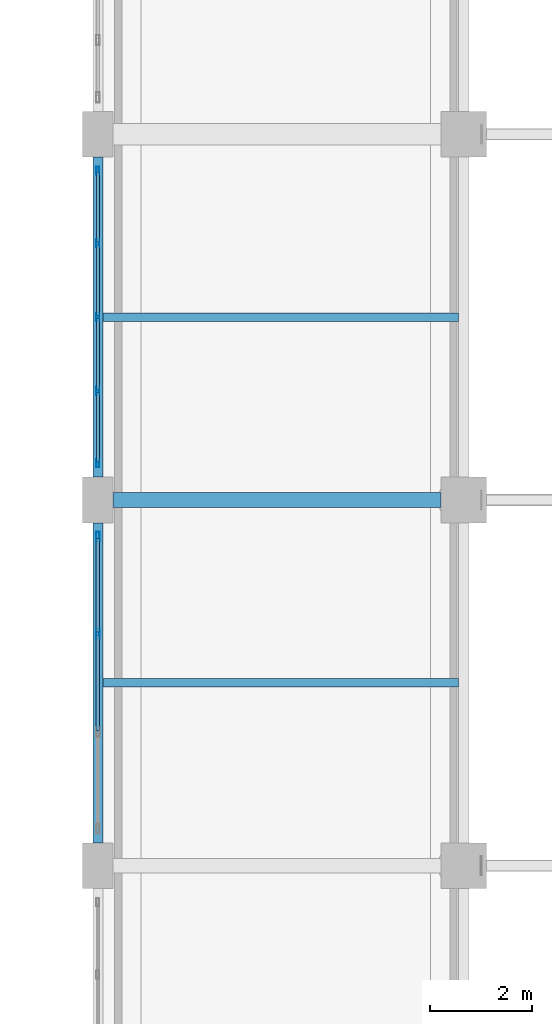
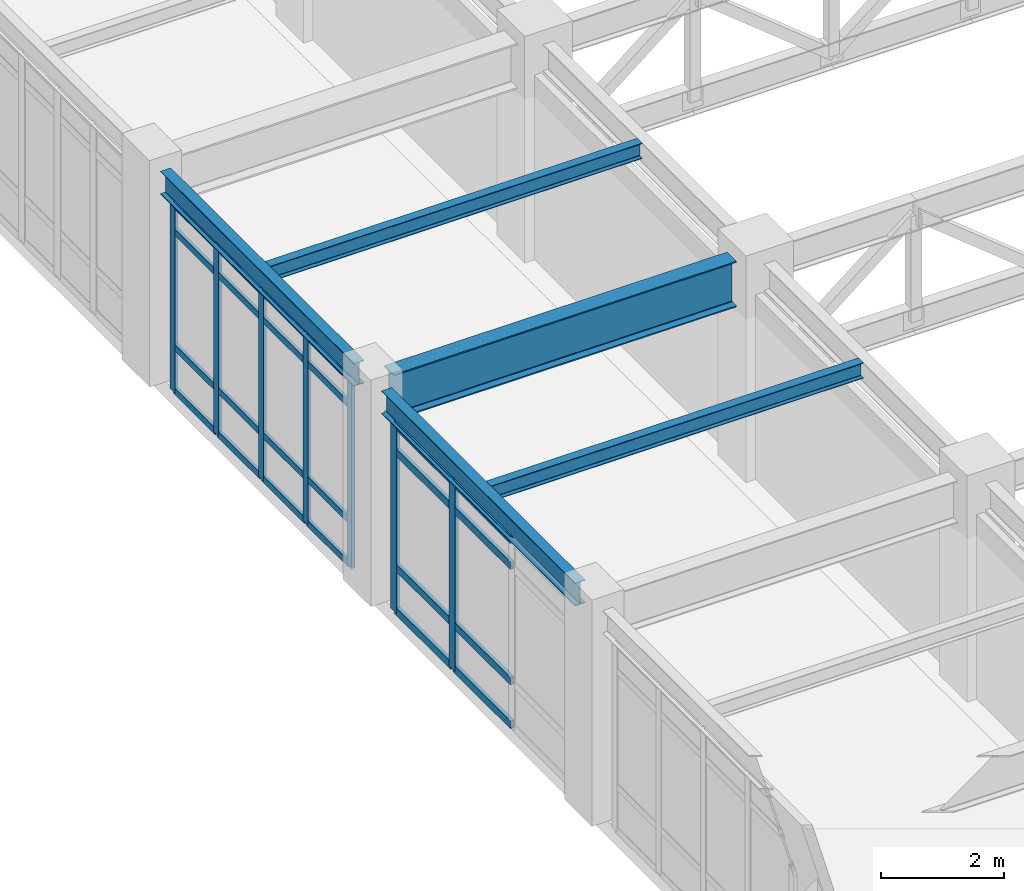
# One storey, part 20 of 106: 31 members, 5 beams, 2 elements without a shape of their own.
"""IFC4 building model written with IfcOpenShell, lengths in metres."""

from ifc_helpers import new_model, si_unit, direction, frame, origin, origin_2d, place, context, subcontext, project, spatial, hollow_rectangle, i_section, extrude, material, layer, layer_set, material_profile, profile_set, type_object, element, aggregate, save


model = new_model("IFC4")

# Units and contexts
model_context = context("Model", 3, precision=1e-05, world=origin(), true_north=direction((0.0, 1.0)))
body_context = subcontext(model_context, "Body", "Model", "MODEL_VIEW")
ifc_project = project(units=[si_unit("LENGTHUNIT", "METRE"), si_unit("AREAUNIT", "SQUARE_METRE"), si_unit("VOLUMEUNIT", "CUBIC_METRE"), si_unit("PLANEANGLEUNIT", "RADIAN"), si_unit("MASSUNIT", "GRAM", prefix="KILO")], contexts=[model_context])

# Site, building, storey
site_placement = place(None, origin())
site = spatial("IfcSite", under=ifc_project, at=site_placement, CompositionType="ELEMENT")
building_placement = place(site_placement, origin())
building = spatial("IfcBuilding", under=site, at=building_placement, Name="Carrowvane Square Congress Hotel", CompositionType="ELEMENT")
storey_placement = place(building_placement, frame((0.0, 0.0, 10.5)))
storey = spatial("IfcBuildingStorey", under=building, at=storey_placement, Name="L02", CompositionType="ELEMENT", Elevation=10.5)

# Beams
ifc_material_1 = material(Name="Steel S355", Category="steel")
ifc_material_profile_1 = material_profile(ifc_material_1, i_section(OverallWidth=0.165771484375, OverallDepth=0.306640625, WebThickness=0.006591796875, FlangeThickness=0.01171875, FilletRadius=0.0087890625, at=origin_2d()), Name="UKB 305x165x46")
ifc_profile_set_1 = profile_set([ifc_material_profile_1], Name="Steel S355")
beam_type_1 = type_object("IfcBeamType", Name="BM-ST-UKB305", PredefinedType="JOIST", material=ifc_profile_set_1)
for number, where, z_axis, x_axis, name in (
    (1, (134.095703125, 23.39990234375, 4.066650390625), (1.0, 0.0, 0.0), (0.0, 1.0, 0.0), "L03 secondary joist 18-19"),
    (2, (134.095703125, 30.60009765625, 4.066650390625), (1.0, 0.0, 0.0), (0.0, 1.0, 0.0), "L03 secondary joist 18-19"),
):
    element("IfcBeam", number, at=place(storey_placement, frame(where, z_axis=z_axis, x_axis=x_axis)), inside=storey, type_object=beam_type_1, Name=name, PredefinedType="JOIST", context=body_context, shape_type="SweptSolid", body=[
        extrude(i_section(OverallWidth=0.165771484375, OverallDepth=0.306640625, WebThickness=0.006591796875, FlangeThickness=0.01171875, FilletRadius=0.0087890625, at=origin_2d()), origin(), (0.0, 0.0, 1.0), 6.999267578125),
    ])
ifc_material_2 = material(Name="Steel S355", Category="steel")
ifc_material_profile_2 = material_profile(ifc_material_2, i_section(OverallWidth=0.19140625, OverallDepth=0.4599609375, WebThickness=0.010009765625, FlangeThickness=0.01611328125, FilletRadius=0.01025390625, at=origin_2d()), Name="UKB 457x191x82")
ifc_profile_set_2 = profile_set([ifc_material_profile_2], Name="Steel S355")
beam_type_2 = type_object("IfcBeamType", Name="BM-ST-UKB457", PredefinedType="SPANDREL", material=ifc_profile_set_2)
for number, where, z_axis, x_axis, name in (
    (3, (134.0, 20.25, 3.989990234375), (0.0, 1.0, 0.0), (-1.0, 0.0, 0.0), "L03 girder 18/C-D"),
    (4, (134.0, 27.449951171875, 3.989990234375), (0.0, 1.0, 0.0), (-1.0, 0.0, 0.0), "L03 girder 18/D-E"),
):
    element("IfcBeam", number, at=place(storey_placement, frame(where, z_axis=z_axis, x_axis=x_axis)), inside=storey, type_object=beam_type_2, Name=name, PredefinedType="SPANDREL", context=body_context, shape_type="SweptSolid", body=[
        extrude(i_section(OverallWidth=0.19140625, OverallDepth=0.4599609375, WebThickness=0.010009765625, FlangeThickness=0.01611328125, FilletRadius=0.01025390625, at=origin_2d()), origin(), (0.0, 0.0, 1.0), 6.300048828125),
    ])
ifc_material_3 = material(Name="Steel S355", Category="steel")
ifc_material_profile_3 = material_profile(ifc_material_3, i_section(OverallWidth=0.30419921875, OverallDepth=0.910400390625, WebThickness=0.015869140625, FlangeThickness=0.02392578125, FilletRadius=0.01904296875, at=origin_2d()), Name="UKB 914x305x224")
ifc_profile_set_3 = profile_set([ifc_material_profile_3], Name="Steel S355")
beam_type_3 = type_object("IfcBeamType", Name="BM-ST-UKB914A", PredefinedType="USERDEFINED", material=ifc_profile_set_3)
beam_placement = place(storey_placement, frame((134.300048828125, 27.0, 3.764892578125), z_axis=(1.0, 0.0, 0.0), x_axis=(0.0, 1.0, 0.0)))
element("IfcBeam", 5, at=beam_placement, inside=storey, type_object=beam_type_3, Name="L03 girder D/18-19", ObjectType="GIRDER", PredefinedType="USERDEFINED", context=body_context, shape_type="SweptSolid", body=[
    extrude(i_section(OverallWidth=0.30419921875, OverallDepth=0.910400390625, WebThickness=0.015869140625, FlangeThickness=0.02392578125, FilletRadius=0.01904296875, at=origin_2d()), origin(), (0.0, 0.0, 1.0), 6.449951171875),
])

# Curtain wall, members
ifc_material_4 = material(Name="Anodised aluminium", Category="aluminium")
ifc_layer_1 = layer(ifc_material_4, 0.23388671875)
ifc_layer_set_1 = layer_set([ifc_layer_1], Name="Anodised aluminium")
curtain_wall_type_1 = type_object("IfcCurtainWallType", Name="CW-SYS-7", PredefinedType="NOTDEFINED", material=ifc_layer_set_1)
curtain_wall_1_placement = place(storey_placement, origin())
curtain_wall_1 = element("IfcCurtainWall", 6, at=curtain_wall_1_placement, inside=storey, type_object=curtain_wall_type_1, Name="L02 unitised curtain wall 182", PredefinedType="NOTDEFINED")
ifc_material_5 = material(Name="Anodised aluminium", Category="aluminium")
ifc_material_profile_4 = material_profile(ifc_material_5, hollow_rectangle(XDim=0.06005859375, YDim=0.159912109375, WallThickness=0.00390625, at=origin_2d()), Name="CW-ML 60x160x4")
ifc_profile_set_4 = profile_set([ifc_material_profile_4], Name="Anodised aluminium")
member_type_1 = type_object("IfcMemberType", Name="CW-MUL-1", PredefinedType="MULLION", material=ifc_profile_set_4)
member_1_placement = place(storey_placement, frame((134.0, 27.719970703125, 0.0), z_axis=(0.0, 0.0, 1.0), x_axis=(-1.0, 0.0, 0.0)))
member_1 = element("IfcMember", 7, at=member_1_placement, type_object=member_type_1, Name="CW-7 mullion 1", PredefinedType="MULLION", context=body_context, shape_type="SweptSolid", body=[
    extrude(hollow_rectangle(XDim=0.06005859375, YDim=0.159912109375, WallThickness=0.00390625, at=origin_2d()), origin(), (0.0, 0.0, 1.0), 3.7451171875),
])
member_2_placement = place(storey_placement, frame((134.0, 29.14501953125, 0.0), z_axis=(0.0, 0.0, 1.0), x_axis=(-1.0, 0.0, 0.0)))
member_2 = element("IfcMember", 8, at=member_2_placement, type_object=member_type_1, Name="CW-7 mullion 2", PredefinedType="MULLION", context=body_context, shape_type="SweptSolid", body=[
    extrude(hollow_rectangle(XDim=0.06005859375, YDim=0.159912109375, WallThickness=0.00390625, at=origin_2d()), origin(), (0.0, 0.0, 1.0), 3.7451171875),
])
member_3_placement = place(storey_placement, frame((134.0, 30.60009765625, 0.0), z_axis=(0.0, 0.0, 1.0), x_axis=(-1.0, 0.0, 0.0)))
member_3 = element("IfcMember", 9, at=member_3_placement, type_object=member_type_1, Name="CW-7 mullion 3", PredefinedType="MULLION", context=body_context, shape_type="SweptSolid", body=[
    extrude(hollow_rectangle(XDim=0.06005859375, YDim=0.159912109375, WallThickness=0.00390625, at=origin_2d()), origin(), (0.0, 0.0, 1.0), 3.7451171875),
])
member_4_placement = place(storey_placement, frame((134.0, 32.054931640625, 0.0), z_axis=(0.0, 0.0, 1.0), x_axis=(-1.0, 0.0, 0.0)))
member_4 = element("IfcMember", 10, at=member_4_placement, type_object=member_type_1, Name="CW-7 mullion 4", PredefinedType="MULLION", context=body_context, shape_type="SweptSolid", body=[
    extrude(hollow_rectangle(XDim=0.06005859375, YDim=0.159912109375, WallThickness=0.00390625, at=origin_2d()), origin(), (0.0, 0.0, 1.0), 3.7451171875),
])
member_5_placement = place(storey_placement, frame((134.0, 33.47998046875, 0.0), z_axis=(0.0, 0.0, 1.0), x_axis=(-1.0, 0.0, 0.0)))
member_5 = element("IfcMember", 11, at=member_5_placement, type_object=member_type_1, Name="CW-7 mullion 5", PredefinedType="MULLION", context=body_context, shape_type="SweptSolid", body=[
    extrude(hollow_rectangle(XDim=0.06005859375, YDim=0.159912109375, WallThickness=0.00390625, at=origin_2d()), origin(), (0.0, 0.0, 1.0), 3.7451171875),
])

ifc_material_6 = material(Name="Anodised aluminium", Category="aluminium")
ifc_layer_2 = layer(ifc_material_6, 0.221923828125)
ifc_layer_set_2 = layer_set([ifc_layer_2], Name="Anodised aluminium")
curtain_wall_type_2 = type_object("IfcCurtainWallType", Name="CW-SYS-6", PredefinedType="NOTDEFINED", material=ifc_layer_set_2)
curtain_wall_2_placement = place(storey_placement, origin())
curtain_wall_2 = element("IfcCurtainWall", 12, at=curtain_wall_2_placement, inside=storey, type_object=curtain_wall_type_2, Name="L02 unitised curtain wall 181", PredefinedType="NOTDEFINED")
ifc_material_7 = material(Name="Anodised aluminium", Category="aluminium")
ifc_material_profile_5 = material_profile(ifc_material_7, hollow_rectangle(XDim=0.070068359375, YDim=0.199951171875, WallThickness=0.0048828125, at=origin_2d()), Name="CW-ML 70x200x5")
ifc_profile_set_5 = profile_set([ifc_material_profile_5], Name="Anodised aluminium")
member_type_2 = type_object("IfcMemberType", Name="CW-MUL-2", PredefinedType="MULLION", material=ifc_profile_set_5)
member_6_placement = place(storey_placement, frame((134.0, 24.3701171875, 0.0), z_axis=(0.0, 0.0, 1.0), x_axis=(-1.0, 0.0, 0.0)))
member_6 = element("IfcMember", 13, at=member_6_placement, type_object=member_type_2, Name="CW-6 mullion 3", PredefinedType="MULLION", context=body_context, shape_type="SweptSolid", body=[
    extrude(hollow_rectangle(XDim=0.070068359375, YDim=0.199951171875, WallThickness=0.0048828125, at=origin_2d()), origin(), (0.0, 0.0, 1.0), 3.7451171875),
])
member_7_placement = place(storey_placement, frame((134.0, 26.27490234375, 0.0), z_axis=(0.0, 0.0, 1.0), x_axis=(-1.0, 0.0, 0.0)))
member_7 = element("IfcMember", 14, at=member_7_placement, type_object=member_type_2, Name="CW-6 mullion 4", PredefinedType="MULLION", context=body_context, shape_type="SweptSolid", body=[
    extrude(hollow_rectangle(XDim=0.070068359375, YDim=0.199951171875, WallThickness=0.0048828125, at=origin_2d()), origin(), (0.0, 0.0, 1.0), 3.7451171875),
])

# Member
ifc_material_8 = material(Name="Anodised aluminium", Category="aluminium")
ifc_material_profile_6 = material_profile(ifc_material_8, hollow_rectangle(XDim=0.06005859375, YDim=0.1298828125, WallThickness=0.00390625, at=origin_2d()), Name="CW-TR 60x130x4")
ifc_profile_set_6 = profile_set([ifc_material_profile_6], Name="Anodised aluminium")
member_type_3 = type_object("IfcMemberType", Name="CW-TRN-1", PredefinedType="USERDEFINED", material=ifc_profile_set_6)
member_8_placement = place(storey_placement, frame((134.0, 27.75, 0.030029296875), z_axis=(0.0, 1.0, 0.0), x_axis=(-1.0, 0.0, 0.0)))
member_8 = element("IfcMember", 15, at=member_8_placement, type_object=member_type_3, Name="CW-7 transom 1.1", ObjectType="TRANSOM", PredefinedType="USERDEFINED", context=body_context, shape_type="SweptSolid", body=[
    extrude(hollow_rectangle(XDim=0.06005859375, YDim=0.1298828125, WallThickness=0.00390625, at=origin_2d()), origin(), (0.0, 0.0, 1.0), 1.364990234375),
])

member_9_placement = place(storey_placement, frame((134.0, 27.75, 0.89990234375), z_axis=(0.0, 1.0, 0.0), x_axis=(-1.0, 0.0, 0.0)))
member_9 = element("IfcMember", 16, at=member_9_placement, type_object=member_type_3, Name="CW-7 transom 1.2", ObjectType="TRANSOM", PredefinedType="USERDEFINED", context=body_context, shape_type="SweptSolid", body=[
    extrude(hollow_rectangle(XDim=0.06005859375, YDim=0.1298828125, WallThickness=0.00390625, at=origin_2d()), origin(), (0.0, 0.0, 1.0), 1.364990234375),
])

member_10_placement = place(storey_placement, frame((134.0, 27.75, 3.195068359375), z_axis=(0.0, 1.0, 0.0), x_axis=(-1.0, 0.0, 0.0)))
member_10 = element("IfcMember", 17, at=member_10_placement, type_object=member_type_3, Name="CW-7 transom 1.3", ObjectType="TRANSOM", PredefinedType="USERDEFINED", context=body_context, shape_type="SweptSolid", body=[
    extrude(hollow_rectangle(XDim=0.06005859375, YDim=0.1298828125, WallThickness=0.00390625, at=origin_2d()), origin(), (0.0, 0.0, 1.0), 1.364990234375),
])

member_11_placement = place(storey_placement, frame((134.0, 27.75, 3.715087890625), z_axis=(0.0, 1.0, 0.0), x_axis=(-1.0, 0.0, 0.0)))
member_11 = element("IfcMember", 18, at=member_11_placement, type_object=member_type_3, Name="CW-7 transom 1.4", ObjectType="TRANSOM", PredefinedType="USERDEFINED", context=body_context, shape_type="SweptSolid", body=[
    extrude(hollow_rectangle(XDim=0.06005859375, YDim=0.1298828125, WallThickness=0.00390625, at=origin_2d()), origin(), (0.0, 0.0, 1.0), 1.364990234375),
])

member_12_placement = place(storey_placement, frame((134.0, 29.175048828125, 0.030029296875), z_axis=(0.0, 1.0, 0.0), x_axis=(-1.0, 0.0, 0.0)))
member_12 = element("IfcMember", 19, at=member_12_placement, type_object=member_type_3, Name="CW-7 transom 2.1", ObjectType="TRANSOM", PredefinedType="USERDEFINED", context=body_context, shape_type="SweptSolid", body=[
    extrude(hollow_rectangle(XDim=0.06005859375, YDim=0.1298828125, WallThickness=0.00390625, at=origin_2d()), origin(), (0.0, 0.0, 1.0), 1.39501953125),
])

member_13_placement = place(storey_placement, frame((134.0, 29.175048828125, 0.89990234375), z_axis=(0.0, 1.0, 0.0), x_axis=(-1.0, 0.0, 0.0)))
member_13 = element("IfcMember", 20, at=member_13_placement, type_object=member_type_3, Name="CW-7 transom 2.2", ObjectType="TRANSOM", PredefinedType="USERDEFINED", context=body_context, shape_type="SweptSolid", body=[
    extrude(hollow_rectangle(XDim=0.06005859375, YDim=0.1298828125, WallThickness=0.00390625, at=origin_2d()), origin(), (0.0, 0.0, 1.0), 1.39501953125),
])

member_14_placement = place(storey_placement, frame((134.0, 29.175048828125, 3.195068359375), z_axis=(0.0, 1.0, 0.0), x_axis=(-1.0, 0.0, 0.0)))
member_14 = element("IfcMember", 21, at=member_14_placement, type_object=member_type_3, Name="CW-7 transom 2.3", ObjectType="TRANSOM", PredefinedType="USERDEFINED", context=body_context, shape_type="SweptSolid", body=[
    extrude(hollow_rectangle(XDim=0.06005859375, YDim=0.1298828125, WallThickness=0.00390625, at=origin_2d()), origin(), (0.0, 0.0, 1.0), 1.39501953125),
])

member_15_placement = place(storey_placement, frame((134.0, 29.175048828125, 3.715087890625), z_axis=(0.0, 1.0, 0.0), x_axis=(-1.0, 0.0, 0.0)))
member_15 = element("IfcMember", 22, at=member_15_placement, type_object=member_type_3, Name="CW-7 transom 2.4", ObjectType="TRANSOM", PredefinedType="USERDEFINED", context=body_context, shape_type="SweptSolid", body=[
    extrude(hollow_rectangle(XDim=0.06005859375, YDim=0.1298828125, WallThickness=0.00390625, at=origin_2d()), origin(), (0.0, 0.0, 1.0), 1.39501953125),
])

member_16_placement = place(storey_placement, frame((134.0, 30.6298828125, 0.030029296875), z_axis=(0.0, 1.0, 0.0), x_axis=(-1.0, 0.0, 0.0)))
member_16 = element("IfcMember", 23, at=member_16_placement, type_object=member_type_3, Name="CW-7 transom 3.1", ObjectType="TRANSOM", PredefinedType="USERDEFINED", context=body_context, shape_type="SweptSolid", body=[
    extrude(hollow_rectangle(XDim=0.06005859375, YDim=0.1298828125, WallThickness=0.00390625, at=origin_2d()), origin(), (0.0, 0.0, 1.0), 1.39501953125),
])

member_17_placement = place(storey_placement, frame((134.0, 30.6298828125, 0.89990234375), z_axis=(0.0, 1.0, 0.0), x_axis=(-1.0, 0.0, 0.0)))
member_17 = element("IfcMember", 24, at=member_17_placement, type_object=member_type_3, Name="CW-7 transom 3.2", ObjectType="TRANSOM", PredefinedType="USERDEFINED", context=body_context, shape_type="SweptSolid", body=[
    extrude(hollow_rectangle(XDim=0.06005859375, YDim=0.1298828125, WallThickness=0.00390625, at=origin_2d()), origin(), (0.0, 0.0, 1.0), 1.39501953125),
])

member_18_placement = place(storey_placement, frame((134.0, 30.6298828125, 3.195068359375), z_axis=(0.0, 1.0, 0.0), x_axis=(-1.0, 0.0, 0.0)))
member_18 = element("IfcMember", 25, at=member_18_placement, type_object=member_type_3, Name="CW-7 transom 3.3", ObjectType="TRANSOM", PredefinedType="USERDEFINED", context=body_context, shape_type="SweptSolid", body=[
    extrude(hollow_rectangle(XDim=0.06005859375, YDim=0.1298828125, WallThickness=0.00390625, at=origin_2d()), origin(), (0.0, 0.0, 1.0), 1.39501953125),
])

member_19_placement = place(storey_placement, frame((134.0, 30.6298828125, 3.715087890625), z_axis=(0.0, 1.0, 0.0), x_axis=(-1.0, 0.0, 0.0)))
member_19 = element("IfcMember", 26, at=member_19_placement, type_object=member_type_3, Name="CW-7 transom 3.4", ObjectType="TRANSOM", PredefinedType="USERDEFINED", context=body_context, shape_type="SweptSolid", body=[
    extrude(hollow_rectangle(XDim=0.06005859375, YDim=0.1298828125, WallThickness=0.00390625, at=origin_2d()), origin(), (0.0, 0.0, 1.0), 1.39501953125),
])

member_20_placement = place(storey_placement, frame((134.0, 32.0849609375, 0.030029296875), z_axis=(0.0, 1.0, 0.0), x_axis=(-1.0, 0.0, 0.0)))
member_20 = element("IfcMember", 27, at=member_20_placement, type_object=member_type_3, Name="CW-7 transom 4.1", ObjectType="TRANSOM", PredefinedType="USERDEFINED", context=body_context, shape_type="SweptSolid", body=[
    extrude(hollow_rectangle(XDim=0.06005859375, YDim=0.1298828125, WallThickness=0.00390625, at=origin_2d()), origin(), (0.0, 0.0, 1.0), 1.364990234375),
])

member_21_placement = place(storey_placement, frame((134.0, 32.0849609375, 0.89990234375), z_axis=(0.0, 1.0, 0.0), x_axis=(-1.0, 0.0, 0.0)))
member_21 = element("IfcMember", 28, at=member_21_placement, type_object=member_type_3, Name="CW-7 transom 4.2", ObjectType="TRANSOM", PredefinedType="USERDEFINED", context=body_context, shape_type="SweptSolid", body=[
    extrude(hollow_rectangle(XDim=0.06005859375, YDim=0.1298828125, WallThickness=0.00390625, at=origin_2d()), origin(), (0.0, 0.0, 1.0), 1.364990234375),
])

member_22_placement = place(storey_placement, frame((134.0, 32.0849609375, 3.195068359375), z_axis=(0.0, 1.0, 0.0), x_axis=(-1.0, 0.0, 0.0)))
member_22 = element("IfcMember", 29, at=member_22_placement, type_object=member_type_3, Name="CW-7 transom 4.3", ObjectType="TRANSOM", PredefinedType="USERDEFINED", context=body_context, shape_type="SweptSolid", body=[
    extrude(hollow_rectangle(XDim=0.06005859375, YDim=0.1298828125, WallThickness=0.00390625, at=origin_2d()), origin(), (0.0, 0.0, 1.0), 1.364990234375),
])

member_23_placement = place(storey_placement, frame((134.0, 32.0849609375, 3.715087890625), z_axis=(0.0, 1.0, 0.0), x_axis=(-1.0, 0.0, 0.0)))
member_23 = element("IfcMember", 30, at=member_23_placement, type_object=member_type_3, Name="CW-7 transom 4.4", ObjectType="TRANSOM", PredefinedType="USERDEFINED", context=body_context, shape_type="SweptSolid", body=[
    extrude(hollow_rectangle(XDim=0.06005859375, YDim=0.1298828125, WallThickness=0.00390625, at=origin_2d()), origin(), (0.0, 0.0, 1.0), 1.364990234375),
])

aggregate(curtain_wall_1, [member_1, member_2, member_3, member_4, member_5, member_8, member_9, member_10, member_11, member_12, member_13, member_14, member_15, member_16, member_17, member_18, member_19, member_20, member_21, member_22, member_23])

ifc_material_9 = material(Name="Anodised aluminium", Category="aluminium")
ifc_material_profile_7 = material_profile(ifc_material_9, hollow_rectangle(XDim=0.070068359375, YDim=0.14990234375, WallThickness=0.0048828125, at=origin_2d()), Name="CW-TR 70x150x5")
ifc_profile_set_7 = profile_set([ifc_material_profile_7], Name="Anodised aluminium")
member_type_4 = type_object("IfcMemberType", Name="CW-TRN-2", PredefinedType="USERDEFINED", material=ifc_profile_set_7)
member_24_placement = place(storey_placement, frame((134.0, 22.465087890625, 0.034912109375), z_axis=(0.0, 1.0, 0.0), x_axis=(-1.0, 0.0, 0.0)))
member_24 = element("IfcMember", 31, at=member_24_placement, type_object=member_type_4, Name="CW-6 transom 2.1", ObjectType="TRANSOM", PredefinedType="USERDEFINED", context=body_context, shape_type="SweptSolid", body=[
    extrude(hollow_rectangle(XDim=0.070068359375, YDim=0.14990234375, WallThickness=0.0048828125, at=origin_2d()), origin(), (0.0, 0.0, 1.0), 1.869873046875),
])

member_25_placement = place(storey_placement, frame((134.0, 22.465087890625, 0.89990234375), z_axis=(0.0, 1.0, 0.0), x_axis=(-1.0, 0.0, 0.0)))
member_25 = element("IfcMember", 32, at=member_25_placement, type_object=member_type_4, Name="CW-6 transom 2.2", ObjectType="TRANSOM", PredefinedType="USERDEFINED", context=body_context, shape_type="SweptSolid", body=[
    extrude(hollow_rectangle(XDim=0.070068359375, YDim=0.14990234375, WallThickness=0.0048828125, at=origin_2d()), origin(), (0.0, 0.0, 1.0), 1.869873046875),
])

member_26_placement = place(storey_placement, frame((134.0, 22.465087890625, 3.195068359375), z_axis=(0.0, 1.0, 0.0), x_axis=(-1.0, 0.0, 0.0)))
member_26 = element("IfcMember", 33, at=member_26_placement, type_object=member_type_4, Name="CW-6 transom 2.3", ObjectType="TRANSOM", PredefinedType="USERDEFINED", context=body_context, shape_type="SweptSolid", body=[
    extrude(hollow_rectangle(XDim=0.070068359375, YDim=0.14990234375, WallThickness=0.0048828125, at=origin_2d()), origin(), (0.0, 0.0, 1.0), 1.869873046875),
])

member_27_placement = place(storey_placement, frame((134.0, 22.465087890625, 3.7099609375), z_axis=(0.0, 1.0, 0.0), x_axis=(-1.0, 0.0, 0.0)))
member_27 = element("IfcMember", 34, at=member_27_placement, type_object=member_type_4, Name="CW-6 transom 2.4", ObjectType="TRANSOM", PredefinedType="USERDEFINED", context=body_context, shape_type="SweptSolid", body=[
    extrude(hollow_rectangle(XDim=0.070068359375, YDim=0.14990234375, WallThickness=0.0048828125, at=origin_2d()), origin(), (0.0, 0.0, 1.0), 1.869873046875),
])

member_28_placement = place(storey_placement, frame((134.0, 24.405029296875, 0.034912109375), z_axis=(0.0, 1.0, 0.0), x_axis=(-1.0, 0.0, 0.0)))
member_28 = element("IfcMember", 35, at=member_28_placement, type_object=member_type_4, Name="CW-6 transom 3.1", ObjectType="TRANSOM", PredefinedType="USERDEFINED", context=body_context, shape_type="SweptSolid", body=[
    extrude(hollow_rectangle(XDim=0.070068359375, YDim=0.14990234375, WallThickness=0.0048828125, at=origin_2d()), origin(), (0.0, 0.0, 1.0), 1.8349609375),
])

member_29_placement = place(storey_placement, frame((134.0, 24.405029296875, 0.89990234375), z_axis=(0.0, 1.0, 0.0), x_axis=(-1.0, 0.0, 0.0)))
member_29 = element("IfcMember", 36, at=member_29_placement, type_object=member_type_4, Name="CW-6 transom 3.2", ObjectType="TRANSOM", PredefinedType="USERDEFINED", context=body_context, shape_type="SweptSolid", body=[
    extrude(hollow_rectangle(XDim=0.070068359375, YDim=0.14990234375, WallThickness=0.0048828125, at=origin_2d()), origin(), (0.0, 0.0, 1.0), 1.8349609375),
])

member_30_placement = place(storey_placement, frame((134.0, 24.405029296875, 3.195068359375), z_axis=(0.0, 1.0, 0.0), x_axis=(-1.0, 0.0, 0.0)))
member_30 = element("IfcMember", 37, at=member_30_placement, type_object=member_type_4, Name="CW-6 transom 3.3", ObjectType="TRANSOM", PredefinedType="USERDEFINED", context=body_context, shape_type="SweptSolid", body=[
    extrude(hollow_rectangle(XDim=0.070068359375, YDim=0.14990234375, WallThickness=0.0048828125, at=origin_2d()), origin(), (0.0, 0.0, 1.0), 1.8349609375),
])

member_31_placement = place(storey_placement, frame((134.0, 24.405029296875, 3.7099609375), z_axis=(0.0, 1.0, 0.0), x_axis=(-1.0, 0.0, 0.0)))
member_31 = element("IfcMember", 38, at=member_31_placement, type_object=member_type_4, Name="CW-6 transom 3.4", ObjectType="TRANSOM", PredefinedType="USERDEFINED", context=body_context, shape_type="SweptSolid", body=[
    extrude(hollow_rectangle(XDim=0.070068359375, YDim=0.14990234375, WallThickness=0.0048828125, at=origin_2d()), origin(), (0.0, 0.0, 1.0), 1.8349609375),
])

aggregate(curtain_wall_2, [member_6, member_7, member_24, member_25, member_26, member_27, member_28, member_29, member_30, member_31])

save(model, "model.ifc")
